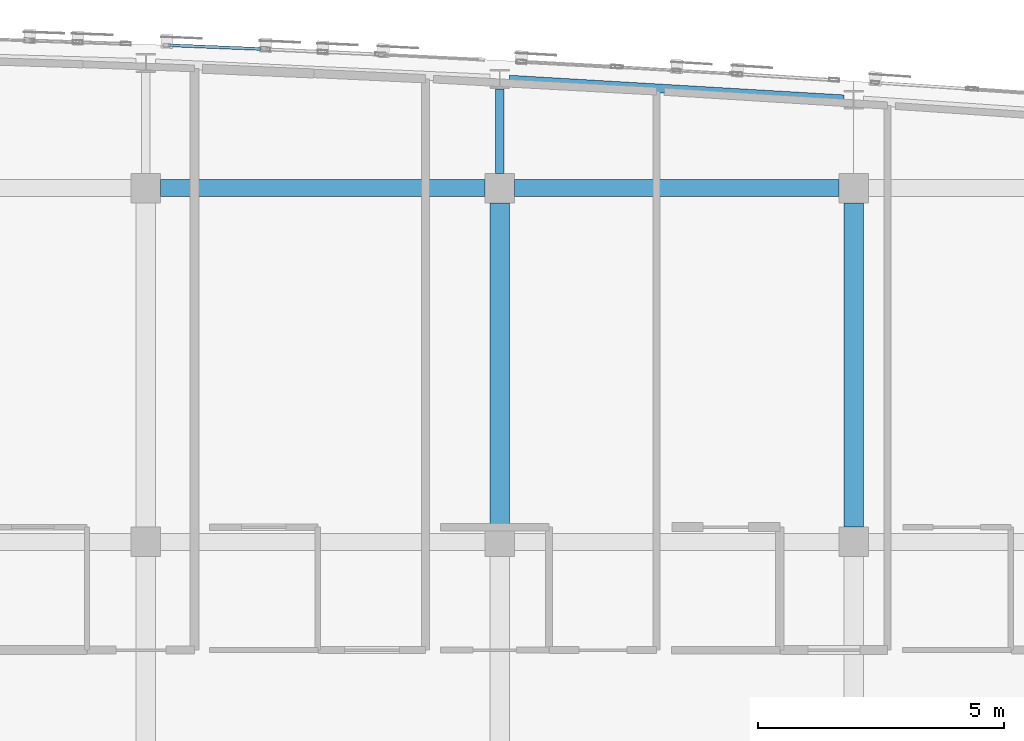
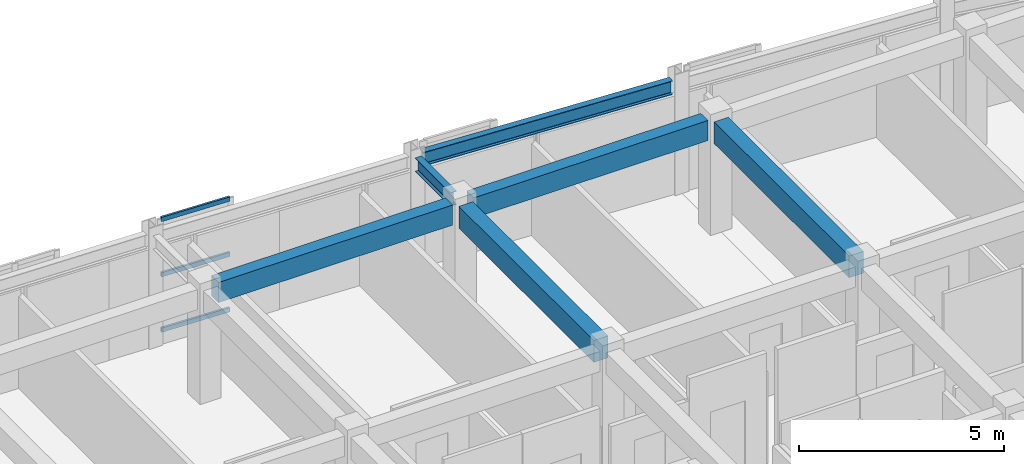
# One storey, part 20 of 45: 6 beams, 3 members, 1 element without a shape of its own.
"""IFC4 building model written with IfcOpenShell, lengths in metres."""

from ifc_helpers import new_model, si_unit, direction, frame, origin, origin_2d, place, context, subcontext, project, spatial, rectangle, hollow_rectangle, i_section, extrude, material, layer, layer_set, material_profile, profile_set, type_object, element, aggregate, save


model = new_model("IFC4")

# Units and contexts
model_context = context("Model", 3, precision=1e-05, world=origin(), true_north=direction((0.0, 1.0)))
body_context = subcontext(model_context, "Body", "Model", "MODEL_VIEW")
ifc_project = project(units=[si_unit("LENGTHUNIT", "METRE"), si_unit("AREAUNIT", "SQUARE_METRE"), si_unit("VOLUMEUNIT", "CUBIC_METRE"), si_unit("PLANEANGLEUNIT", "RADIAN"), si_unit("MASSUNIT", "GRAM", prefix="KILO")], contexts=[model_context])

# Site, building, storey
site_placement = place(None, origin())
site = spatial("IfcSite", under=ifc_project, at=site_placement, CompositionType="ELEMENT")
building_placement = place(site_placement, origin())
building = spatial("IfcBuilding", under=site, at=building_placement, Name="Carrowvane Square Congress Hotel", CompositionType="ELEMENT")
storey_placement = place(building_placement, frame((0.0, 0.0, 33.60009765625)))
storey = spatial("IfcBuildingStorey", under=building, at=storey_placement, Name="L08", CompositionType="ELEMENT", Elevation=33.60009765625)

# Beams
ifc_material_1 = material(Name="Concrete C35/45", Category="concrete")
ifc_material_profile_1 = material_profile(ifc_material_1, rectangle(XDim=0.35009765625, YDim=0.60009765625, at=origin_2d()), Name="RC 350x600")
ifc_profile_set_1 = profile_set([ifc_material_profile_1], Name="Concrete C35/45")
beam_type_1 = type_object("IfcBeamType", Name="BM-RC-350x600", PredefinedType="BEAM", material=ifc_profile_set_1)
for number, where, z_axis, x_axis, name in (
    (1, (112.699951171875, 113.39990234375, 3.059814453125), (1.0, 0.0, 0.0), (0.0, 1.0, 0.0), "L09 girder R/15-16"),
    (2, (119.89990234375, 113.39990234375, 3.059814453125), (1.0, 0.0, 0.0), (0.0, 1.0, 0.0), "L09 girder R/16-17"),
):
    element("IfcBeam", number, at=place(storey_placement, frame(where, z_axis=z_axis, x_axis=x_axis)), inside=storey, type_object=beam_type_1, Name=name, PredefinedType="BEAM", context=body_context, shape_type="SweptSolid", body=[
        extrude(rectangle(XDim=0.35009765625, YDim=0.60009765625, at=origin_2d()), origin(), (0.0, 0.0, 1.0), 6.60009765625),
    ])
ifc_material_2 = material(Name="Concrete C35/45", Category="concrete")
ifc_material_profile_2 = material_profile(ifc_material_2, rectangle(XDim=0.39990234375, YDim=0.64990234375, at=origin_2d()), Name="RC 400x650")
ifc_profile_set_2 = profile_set([ifc_material_profile_2], Name="Concrete C35/45")
beam_type_2 = type_object("IfcBeamType", Name="BM-RC-400x650", PredefinedType="BEAM", material=ifc_profile_set_2)
for number, where, z_axis, x_axis, name in (
    (3, (119.60009765625, 106.5, 3.034912109375), (0.0, 1.0, 0.0), (-1.0, 0.0, 0.0), "L09 girder 16/Q-R"),
    (4, (126.800048828125, 106.5, 3.034912109375), (0.0, 1.0, 0.0), (-1.0, 0.0, 0.0), "L09 girder 17/Q-R"),
):
    element("IfcBeam", number, at=place(storey_placement, frame(where, z_axis=z_axis, x_axis=x_axis)), inside=storey, type_object=beam_type_2, Name=name, PredefinedType="BEAM", context=body_context, shape_type="SweptSolid", body=[
        extrude(rectangle(XDim=0.39990234375, YDim=0.64990234375, at=origin_2d()), origin(), (0.0, 0.0, 1.0), 6.60009765625),
    ])
ifc_material_3 = material(Name="Steel S355", Category="steel")
ifc_material_profile_3 = material_profile(ifc_material_3, i_section(OverallWidth=0.1787109375, OverallDepth=0.409423828125, WebThickness=0.0087890625, FlangeThickness=0.014404296875, FilletRadius=0.01025390625, at=origin_2d()), Name="UKB 406x178x67")
ifc_profile_set_3 = profile_set([ifc_material_profile_3], Name="Steel S355")
beam_type_3 = type_object("IfcBeamType", Name="BM-ST-UKB406", PredefinedType="BEAM", material=ifc_profile_set_3)
beam_1_placement = place(storey_placement, frame((119.797119140625, 115.60595703125, 3.1552734375), z_axis=(0.998276101502, -0.058692633008, 0.0), x_axis=(0.058692633008, 0.998276101502, 0.0)))
element("IfcBeam", 5, at=beam_1_placement, inside=storey, type_object=beam_type_3, Name="L09 curved north spandrel", PredefinedType="BEAM", context=body_context, shape_type="SweptSolid", body=[
    extrude(i_section(OverallWidth=0.1787109375, OverallDepth=0.409423828125, WebThickness=0.0087890625, FlangeThickness=0.014404296875, FilletRadius=0.01025390625, at=origin_2d()), origin(), (0.0, 0.0, 1.0), 6.817626953125),
])
beam_2_placement = place(storey_placement, frame((119.60009765625, 113.699951171875, 3.1552734375), z_axis=(0.0, 1.0, 0.0), x_axis=(-1.0, 0.0, 0.0)))
element("IfcBeam", 6, at=beam_2_placement, inside=storey, type_object=beam_type_3, Name="L09 radial north beam 16", PredefinedType="BEAM", context=body_context, shape_type="SweptSolid", body=[
    extrude(i_section(OverallWidth=0.1787109375, OverallDepth=0.409423828125, WebThickness=0.0087890625, FlangeThickness=0.014404296875, FilletRadius=0.01025390625, at=origin_2d()), origin(), (0.0, 0.0, 1.0), 1.72021484375),
])

# Curtain wall, members
ifc_material_4 = material(Name="Anodised aluminium", Category="aluminium")
ifc_layer = layer(ifc_material_4, 0.162109375)
ifc_layer_set = layer_set([ifc_layer], Name="Anodised aluminium")
curtain_wall_type = type_object("IfcCurtainWallType", Name="CW-SYS-1", PredefinedType="NOTDEFINED", material=ifc_layer_set)
curtain_wall_placement = place(storey_placement, origin())
curtain_wall = element("IfcCurtainWall", 7, at=curtain_wall_placement, inside=storey, type_object=curtain_wall_type, Name="L08 unitised curtain wall 488", PredefinedType="NOTDEFINED")
ifc_material_5 = material(Name="Anodised aluminium", Category="aluminium")
ifc_material_profile_4 = material_profile(ifc_material_5, hollow_rectangle(XDim=0.06005859375, YDim=0.1298828125, WallThickness=0.00390625, at=origin_2d()), Name="CW-TR 60x130x4")
ifc_profile_set_4 = profile_set([ifc_material_profile_4], Name="Anodised aluminium")
member_type = type_object("IfcMemberType", Name="CW-TRN-1", PredefinedType="USERDEFINED", material=ifc_profile_set_4)
member_1_placement = place(storey_placement, frame((112.85888671875, 116.3056640625, 0.02978515625), z_axis=(0.999191609431, -0.040201090061, 0.0), x_axis=(0.040201090061, 0.999191609431, 0.0)))
member_1 = element("IfcMember", 8, at=member_1_placement, type_object=member_type, Name="CW-1 transom 1.1", ObjectType="TRANSOM", PredefinedType="USERDEFINED", context=body_context, shape_type="SweptSolid", body=[
    extrude(hollow_rectangle(XDim=0.06005859375, YDim=0.1298828125, WallThickness=0.00390625, at=origin_2d()), origin(), (0.0, 0.0, 1.0), 1.882568359375),
])
member_2_placement = place(storey_placement, frame((112.85888671875, 116.3056640625, 1.679931640625), z_axis=(0.999191609431, -0.040201090061, 0.0), x_axis=(0.040201090061, 0.999191609431, 0.0)))
member_2 = element("IfcMember", 9, at=member_2_placement, type_object=member_type, Name="CW-1 transom 1.2", ObjectType="TRANSOM", PredefinedType="USERDEFINED", context=body_context, shape_type="SweptSolid", body=[
    extrude(hollow_rectangle(XDim=0.06005859375, YDim=0.1298828125, WallThickness=0.00390625, at=origin_2d()), origin(), (0.0, 0.0, 1.0), 1.882568359375),
])
member_3_placement = place(storey_placement, frame((112.85888671875, 116.3056640625, 3.329833984375), z_axis=(0.999191609431, -0.040201090061, 0.0), x_axis=(0.040201090061, 0.999191609431, 0.0)))
member_3 = element("IfcMember", 10, at=member_3_placement, type_object=member_type, Name="CW-1 transom 1.3", ObjectType="TRANSOM", PredefinedType="USERDEFINED", context=body_context, shape_type="SweptSolid", body=[
    extrude(hollow_rectangle(XDim=0.06005859375, YDim=0.1298828125, WallThickness=0.00390625, at=origin_2d()), origin(), (0.0, 0.0, 1.0), 1.882568359375),
])
aggregate(curtain_wall, [member_1, member_2, member_3])

save(model, "model.ifc")
